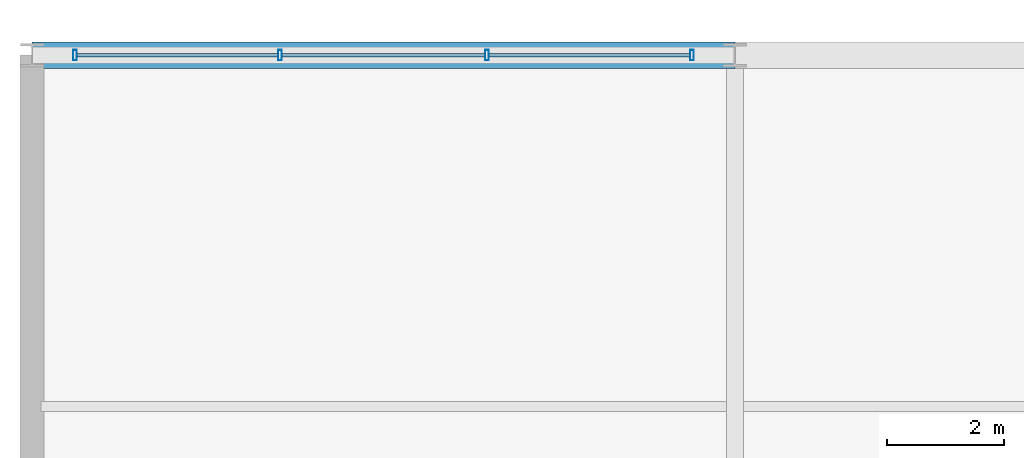
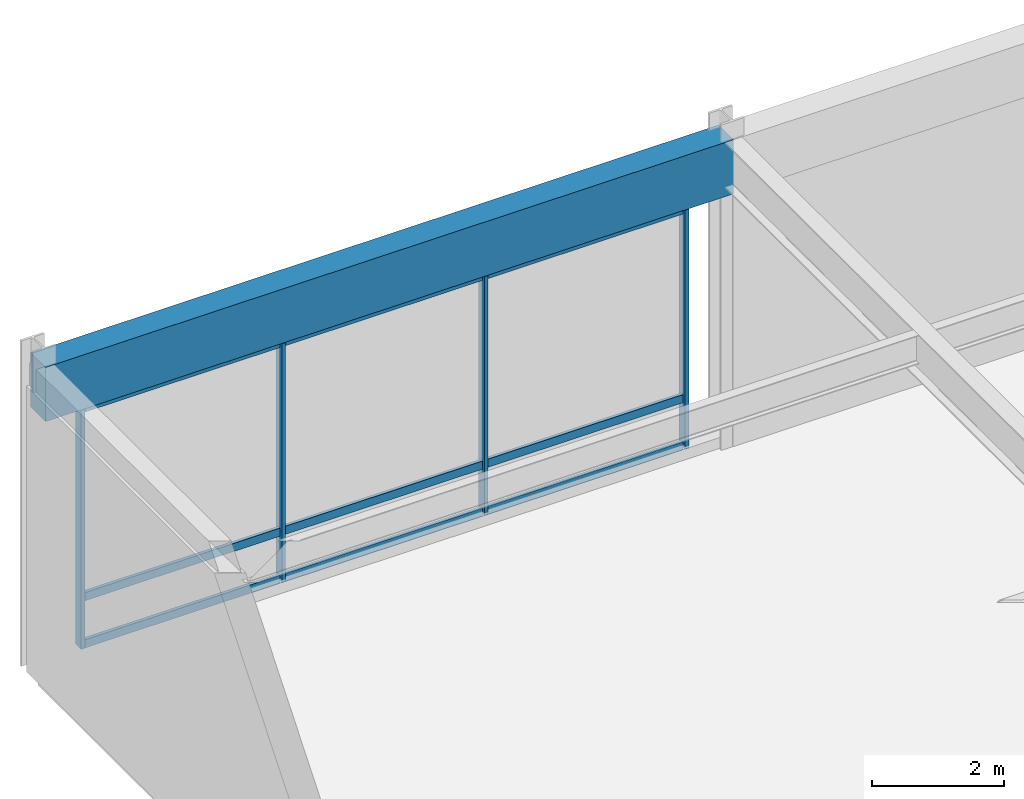
# One storey, part 30 of 105: 13 members, 1 beam, 1 element without a shape of its own.
"""IFC4 building model written with IfcOpenShell, lengths in metres."""

from ifc_helpers import new_model, si_unit, direction, frame, origin, origin_2d, place, context, subcontext, project, spatial, rectangle, hollow_rectangle, extrude, material, material_profile, profile_set, type_object, element, aggregate, save


model = new_model("IFC4")

# Units and contexts
model_context = context("Model", 3, precision=1e-05, world=origin(), true_north=direction((0.0, 1.0)))
body_context = subcontext(model_context, "Body", "Model", "MODEL_VIEW")
ifc_project = project(units=[si_unit("LENGTHUNIT", "METRE"), si_unit("AREAUNIT", "SQUARE_METRE"), si_unit("VOLUMEUNIT", "CUBIC_METRE"), si_unit("PLANEANGLEUNIT", "RADIAN"), si_unit("MASSUNIT", "GRAM", prefix="KILO")], contexts=[model_context])

# Site, building, storey
site_placement = place(None, origin())
site = spatial("IfcSite", under=ifc_project, at=site_placement, CompositionType="ELEMENT")
building_placement = place(site_placement, origin())
building = spatial("IfcBuilding", under=site, at=building_placement, Name="Kaldorvane Square Convention Centre", CompositionType="ELEMENT")
storey_placement = place(building_placement, frame((0.0, 0.0, 6.0)))
storey = spatial("IfcBuildingStorey", under=building, at=storey_placement, Name="L01", CompositionType="ELEMENT", Elevation=6.0)

# Beam
ifc_material_1 = material(Name="Concrete f'c = 42 MPa (Normalweight)", Category="concrete")
ifc_material_profile_1 = material_profile(ifc_material_1, rectangle(XDim=0.4499969482421875, YDim=1.0, at=origin_2d()), Name="RCSP1000X450")
ifc_profile_set_1 = profile_set([ifc_material_profile_1], Name="Concrete f'c = 42 MPa (Normalweight)")
beam_type = type_object("IfcBeamType", Name="BM-SP-RC1000", PredefinedType="SPANDREL", material=ifc_profile_set_1)
beam_placement = place(storey_placement, frame((0.0, 117.0, 5.175994873046875), z_axis=(1.0, 0.0, 0.0), x_axis=(0.0, 1.0, 0.0)))
element("IfcBeam", 1, at=beam_placement, inside=storey, type_object=beam_type, Name="Perimeter Spandrel (L01)", PredefinedType="SPANDREL", context=body_context, shape_type="SweptSolid", body=[
    extrude(rectangle(XDim=0.4499969482421875, YDim=1.0, at=origin_2d()), origin(), (0.0, 0.0, 1.0), 12.0),
])

# Curtain wall, members
ifc_material_2 = material(Name="Anodized Aluminum and Low-E Insulated Glazing", Category="aluminium")
curtain_wall_type = type_object("IfcCurtainWallType", Name="CW-UNI-P60-09", PredefinedType="USERDEFINED", material=ifc_material_2)
curtain_wall_placement = place(storey_placement, origin())
curtain_wall = element("IfcCurtainWall", 2, at=curtain_wall_placement, inside=storey, type_object=curtain_wall_type, Name="Curtain Wall CW-02 (L01)", ObjectType="UNITISED GLAZING", PredefinedType="USERDEFINED")
ifc_material_profile_2 = material_profile(ifc_material_2, hollow_rectangle(XDim=0.06500244140625, YDim=0.17999267578125, WallThickness=0.0034942626953125, at=origin_2d()), Name="CWM-180X65")
ifc_profile_set_2 = profile_set([ifc_material_profile_2], Name="Anodized Aluminum and Low-E Insulated Glazing")
member_type_1 = type_object("IfcMemberType", Name="CW-MUL-180", PredefinedType="MULLION", material=ifc_profile_set_2)
member_1_placement = place(storey_placement, frame((11.267501831054688, 117.0, 0.149993896484375), z_axis=(0.0, 0.0, 1.0), x_axis=(-1.0, 0.0, 0.0)))
member_1 = element("IfcMember", 3, at=member_1_placement, type_object=member_type_1, Name="CW-02 mullion 1", PredefinedType="MULLION", context=body_context, shape_type="SweptSolid", body=[
    extrude(hollow_rectangle(XDim=0.06500244140625, YDim=0.17999267578125, WallThickness=0.0034942626953125, at=origin_2d()), origin(), (0.0, 0.0, 1.0), 4.410003662109375),
])
member_2_placement = place(storey_placement, frame((7.76666259765625, 117.0, 0.149993896484375), z_axis=(0.0, 0.0, 1.0), x_axis=(-1.0, 0.0, 0.0)))
member_2 = element("IfcMember", 4, at=member_2_placement, type_object=member_type_1, Name="CW-02 mullion 2", PredefinedType="MULLION", context=body_context, shape_type="SweptSolid", body=[
    extrude(hollow_rectangle(XDim=0.06500244140625, YDim=0.17999267578125, WallThickness=0.0034942626953125, at=origin_2d()), origin(), (0.0, 0.0, 1.0), 4.410003662109375),
])
member_3_placement = place(storey_placement, frame((4.23333740234375, 117.0, 0.149993896484375), z_axis=(0.0, 0.0, 1.0), x_axis=(-1.0, 0.0, 0.0)))
member_3 = element("IfcMember", 5, at=member_3_placement, type_object=member_type_1, Name="CW-02 mullion 3", PredefinedType="MULLION", context=body_context, shape_type="SweptSolid", body=[
    extrude(hollow_rectangle(XDim=0.06500244140625, YDim=0.17999267578125, WallThickness=0.0034942626953125, at=origin_2d()), origin(), (0.0, 0.0, 1.0), 4.410003662109375),
])
member_4_placement = place(storey_placement, frame((0.7324981689453125, 117.0, 0.149993896484375), z_axis=(0.0, 0.0, 1.0), x_axis=(-1.0, 0.0, 0.0)))
member_4 = element("IfcMember", 6, at=member_4_placement, type_object=member_type_1, Name="CW-02 mullion 4", PredefinedType="MULLION", context=body_context, shape_type="SweptSolid", body=[
    extrude(hollow_rectangle(XDim=0.06500244140625, YDim=0.17999267578125, WallThickness=0.0034942626953125, at=origin_2d()), origin(), (0.0, 0.0, 1.0), 4.410003662109375),
])
ifc_material_profile_3 = material_profile(ifc_material_2, hollow_rectangle(XDim=0.05999755859375, YDim=0.149993896484375, WallThickness=0.003204345703125, at=origin_2d()), Name="CWT-150X60")
ifc_profile_set_3 = profile_set([ifc_material_profile_3], Name="Anodized Aluminum and Low-E Insulated Glazing")
member_type_2 = type_object("IfcMemberType", Name="CW-TRN-150", PredefinedType="USERDEFINED", material=ifc_profile_set_3)
member_5_placement = place(storey_placement, frame((11.235000610351562, 117.0, 0.17999267578125), z_axis=(-1.0, 0.0, 0.0), x_axis=(0.0, -1.0, 0.0)))
member_5 = element("IfcMember", 7, at=member_5_placement, type_object=member_type_2, Name="CW-02 transom 1.1", ObjectType="TRANSOM", PredefinedType="USERDEFINED", context=body_context, shape_type="SweptSolid", body=[
    extrude(hollow_rectangle(XDim=0.05999755859375, YDim=0.149993896484375, WallThickness=0.003204345703125, at=origin_2d()), origin(), (0.0, 0.0, 1.0), 3.4358367919921875),
])
member_6_placement = place(storey_placement, frame((11.235000610351562, 117.0, 1.0500030517578125), z_axis=(-1.0, 0.0, 0.0), x_axis=(0.0, -1.0, 0.0)))
member_6 = element("IfcMember", 8, at=member_6_placement, type_object=member_type_2, Name="CW-02 transom 1.2", ObjectType="TRANSOM", PredefinedType="USERDEFINED", context=body_context, shape_type="SweptSolid", body=[
    extrude(hollow_rectangle(XDim=0.05999755859375, YDim=0.149993896484375, WallThickness=0.003204345703125, at=origin_2d()), origin(), (0.0, 0.0, 1.0), 3.4358367919921875),
])
member_7_placement = place(storey_placement, frame((11.235000610351562, 117.0, 4.529998779296875), z_axis=(-1.0, 0.0, 0.0), x_axis=(0.0, -1.0, 0.0)))
member_7 = element("IfcMember", 9, at=member_7_placement, type_object=member_type_2, Name="CW-02 transom 1.3", ObjectType="TRANSOM", PredefinedType="USERDEFINED", context=body_context, shape_type="SweptSolid", body=[
    extrude(hollow_rectangle(XDim=0.05999755859375, YDim=0.149993896484375, WallThickness=0.003204345703125, at=origin_2d()), origin(), (0.0, 0.0, 1.0), 3.4358367919921875),
])
member_8_placement = place(storey_placement, frame((7.734161376953125, 117.0, 0.17999267578125), z_axis=(-1.0, 0.0, 0.0), x_axis=(0.0, -1.0, 0.0)))
member_8 = element("IfcMember", 10, at=member_8_placement, type_object=member_type_2, Name="CW-02 transom 2.1", ObjectType="TRANSOM", PredefinedType="USERDEFINED", context=body_context, shape_type="SweptSolid", body=[
    extrude(hollow_rectangle(XDim=0.05999755859375, YDim=0.149993896484375, WallThickness=0.003204345703125, at=origin_2d()), origin(), (0.0, 0.0, 1.0), 3.46832275390625),
])
member_9_placement = place(storey_placement, frame((7.734161376953125, 117.0, 1.0500030517578125), z_axis=(-1.0, 0.0, 0.0), x_axis=(0.0, -1.0, 0.0)))
member_9 = element("IfcMember", 11, at=member_9_placement, type_object=member_type_2, Name="CW-02 transom 2.2", ObjectType="TRANSOM", PredefinedType="USERDEFINED", context=body_context, shape_type="SweptSolid", body=[
    extrude(hollow_rectangle(XDim=0.05999755859375, YDim=0.149993896484375, WallThickness=0.003204345703125, at=origin_2d()), origin(), (0.0, 0.0, 1.0), 3.46832275390625),
])
member_10_placement = place(storey_placement, frame((7.734161376953125, 117.0, 4.529998779296875), z_axis=(-1.0, 0.0, 0.0), x_axis=(0.0, -1.0, 0.0)))
member_10 = element("IfcMember", 12, at=member_10_placement, type_object=member_type_2, Name="CW-02 transom 2.3", ObjectType="TRANSOM", PredefinedType="USERDEFINED", context=body_context, shape_type="SweptSolid", body=[
    extrude(hollow_rectangle(XDim=0.05999755859375, YDim=0.149993896484375, WallThickness=0.003204345703125, at=origin_2d()), origin(), (0.0, 0.0, 1.0), 3.46832275390625),
])
member_11_placement = place(storey_placement, frame((4.200836181640625, 117.0, 0.17999267578125), z_axis=(-1.0, 0.0, 0.0), x_axis=(0.0, -1.0, 0.0)))
member_11 = element("IfcMember", 13, at=member_11_placement, type_object=member_type_2, Name="CW-02 transom 3.1", ObjectType="TRANSOM", PredefinedType="USERDEFINED", context=body_context, shape_type="SweptSolid", body=[
    extrude(hollow_rectangle(XDim=0.05999755859375, YDim=0.149993896484375, WallThickness=0.003204345703125, at=origin_2d()), origin(), (0.0, 0.0, 1.0), 3.4358367919921875),
])
member_12_placement = place(storey_placement, frame((4.200836181640625, 117.0, 1.0500030517578125), z_axis=(-1.0, 0.0, 0.0), x_axis=(0.0, -1.0, 0.0)))
member_12 = element("IfcMember", 14, at=member_12_placement, type_object=member_type_2, Name="CW-02 transom 3.2", ObjectType="TRANSOM", PredefinedType="USERDEFINED", context=body_context, shape_type="SweptSolid", body=[
    extrude(hollow_rectangle(XDim=0.05999755859375, YDim=0.149993896484375, WallThickness=0.003204345703125, at=origin_2d()), origin(), (0.0, 0.0, 1.0), 3.4358367919921875),
])
member_13_placement = place(storey_placement, frame((4.200836181640625, 117.0, 4.529998779296875), z_axis=(-1.0, 0.0, 0.0), x_axis=(0.0, -1.0, 0.0)))
member_13 = element("IfcMember", 15, at=member_13_placement, type_object=member_type_2, Name="CW-02 transom 3.3", ObjectType="TRANSOM", PredefinedType="USERDEFINED", context=body_context, shape_type="SweptSolid", body=[
    extrude(hollow_rectangle(XDim=0.05999755859375, YDim=0.149993896484375, WallThickness=0.003204345703125, at=origin_2d()), origin(), (0.0, 0.0, 1.0), 3.4358367919921875),
])
aggregate(curtain_wall, [member_1, member_2, member_3, member_4, member_5, member_6, member_7, member_8, member_9, member_10, member_11, member_12, member_13])

save(model, "model.ifc")
